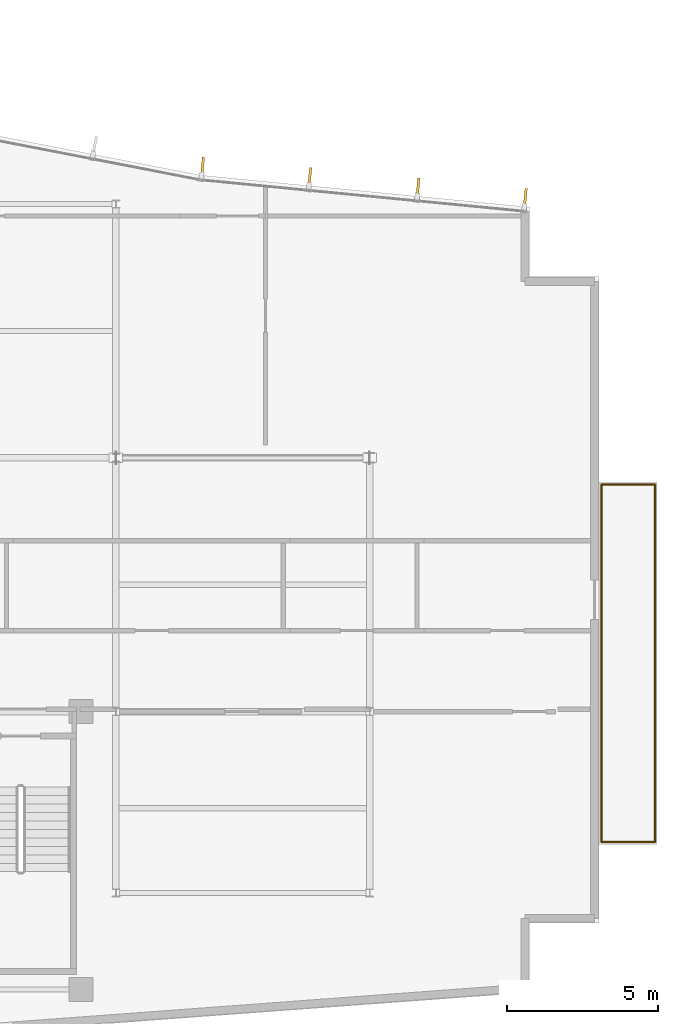
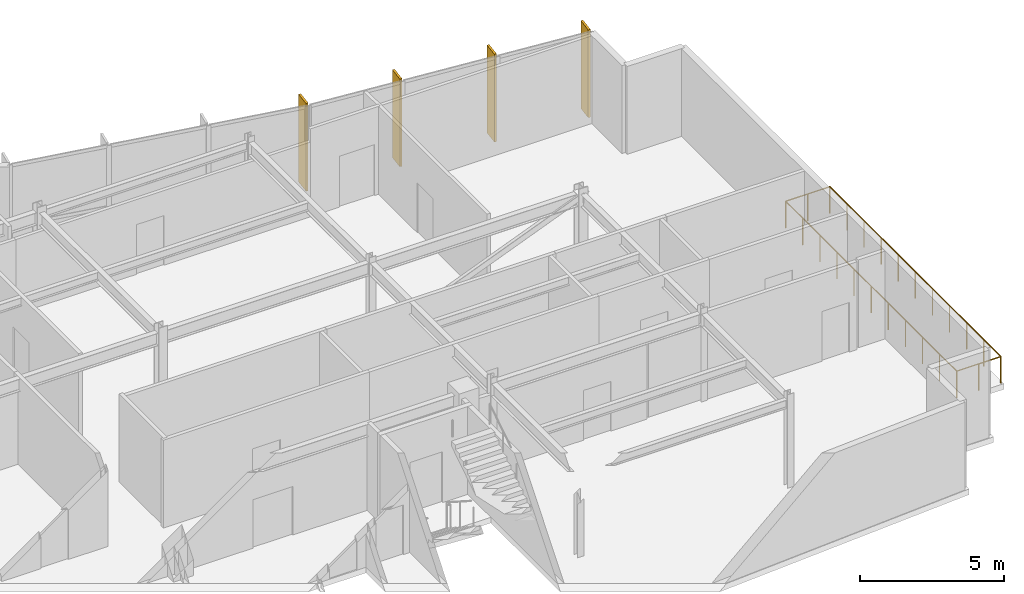
# One storey, part 15 of 16: 4 railings, 4 shading devices.
"""IFC4 building model written with IfcOpenShell, lengths in metres."""

from ifc_helpers import new_model, si_unit, direction, frame, origin, origin_2d, place, context, subcontext, project, spatial, rectangle, circle, extrude, material, layer, layer_set, type_object, element, save


model = new_model("IFC4")

# Units and contexts
model_context = context("Model", 3, precision=1e-05, world=origin(), true_north=direction((0.0, 1.0)))
body_context = subcontext(model_context, "Body", "Model", "MODEL_VIEW")
ifc_project = project(units=[si_unit("LENGTHUNIT", "METRE"), si_unit("AREAUNIT", "SQUARE_METRE"), si_unit("VOLUMEUNIT", "CUBIC_METRE"), si_unit("PLANEANGLEUNIT", "RADIAN"), si_unit("MASSUNIT", "GRAM", prefix="KILO")], contexts=[model_context])

# Site, building, storey
site_placement = place(None, origin())
site = spatial("IfcSite", under=ifc_project, at=site_placement, CompositionType="ELEMENT")
building_placement = place(site_placement, origin())
building = spatial("IfcBuilding", under=site, at=building_placement, Name="Varnakote Quay Hospital", CompositionType="ELEMENT")
storey_placement = place(building_placement, frame((0.0, 0.0, 272.35009765625)))
storey = spatial("IfcBuildingStorey", under=building, at=storey_placement, Name="L67", CompositionType="ELEMENT", Elevation=272.35009765625)

# Railings
ifc_material_1 = material(Name="Anodised aluminium 6063-T6 Bronze", Category="aluminium")
railing_type = type_object("IfcRailingType", Name="RLG-EXT-GUARD-1150", PredefinedType="GUARDRAIL", material=ifc_material_1)
railing_1_placement = place(storey_placement, frame((41.27587890625, 19.52001953125, 0.0)))
element("IfcRailing", 1, at=railing_1_placement, inside=storey, type_object=railing_type, Name="L67 Zigzag Prow Healing Terrace Safety Guard", PredefinedType="GUARDRAIL", context=body_context, shape_type="SweptSolid", body=[
    extrude(circle(Radius=0.02392578125, at=origin_2d()), frame((0.0, 0.0, 1.1259765625), z_axis=(1.0, 0.0, 0.0), x_axis=(0.0, 1.0, 0.0)), (0.0, 0.0, 1.0), 1.76416015625),
    extrude(circle(Radius=0.02099609375, at=origin_2d()), origin(), (0.0, 0.0, 1.0), 1.101806640625),
    extrude(circle(Radius=0.02099609375, at=origin_2d()), frame((0.882080078125, 0.0, 0.0)), (0.0, 0.0, 1.0), 1.101806640625),
    extrude(circle(Radius=0.02099609375, at=origin_2d()), frame((1.76416015625, 0.0, 0.0)), (0.0, 0.0, 1.0), 1.101806640625),
])
railing_2_placement = place(storey_placement, frame((43.0400390625, 19.52001953125, 0.0)))
element("IfcRailing", 2, at=railing_2_placement, inside=storey, type_object=railing_type, Name="L67 Zigzag Prow Healing Terrace Safety Guard", PredefinedType="GUARDRAIL", context=body_context, shape_type="SweptSolid", body=[
    extrude(circle(Radius=0.02392578125, at=origin_2d()), frame((0.0, 0.0, 1.1259765625), z_axis=(0.0, -1.0, 0.0), x_axis=(1.0, 0.0, 0.0)), (0.0, 0.0, 1.0), 11.840087890625),
    extrude(circle(Radius=0.02099609375, at=origin_2d()), origin(), (0.0, 0.0, 1.0), 1.101806640625),
    extrude(circle(Radius=0.02099609375, at=origin_2d()), frame((0.0, -1.18408203125, 0.0)), (0.0, 0.0, 1.0), 1.101806640625),
    extrude(circle(Radius=0.02099609375, at=origin_2d()), frame((0.0, -2.367919921875, 0.0)), (0.0, 0.0, 1.0), 1.101806640625),
    extrude(circle(Radius=0.02099609375, at=origin_2d()), frame((0.0, -3.552001953125, 0.0)), (0.0, 0.0, 1.0), 1.101806640625),
    extrude(circle(Radius=0.02099609375, at=origin_2d()), frame((0.0, -4.736083984375, 0.0)), (0.0, 0.0, 1.0), 1.101806640625),
    extrude(circle(Radius=0.02099609375, at=origin_2d()), frame((0.0, -5.919921875, 0.0)), (0.0, 0.0, 1.0), 1.101806640625),
    extrude(circle(Radius=0.02099609375, at=origin_2d()), frame((0.0, -7.10400390625, 0.0)), (0.0, 0.0, 1.0), 1.101806640625),
    extrude(circle(Radius=0.02099609375, at=origin_2d()), frame((0.0, -8.2880859375, 0.0)), (0.0, 0.0, 1.0), 1.101806640625),
    extrude(circle(Radius=0.02099609375, at=origin_2d()), frame((0.0, -9.47216796875, 0.0)), (0.0, 0.0, 1.0), 1.101806640625),
    extrude(circle(Radius=0.02099609375, at=origin_2d()), frame((0.0, -10.656005859375, 0.0)), (0.0, 0.0, 1.0), 1.101806640625),
    extrude(circle(Radius=0.02099609375, at=origin_2d()), frame((0.0, -11.840087890625, 0.0)), (0.0, 0.0, 1.0), 1.101806640625),
])
railing_3_placement = place(storey_placement, frame((43.0400390625, 7.679931640625, 0.0)))
element("IfcRailing", 3, at=railing_3_placement, inside=storey, type_object=railing_type, Name="L67 Zigzag Prow Healing Terrace Safety Guard", PredefinedType="GUARDRAIL", context=body_context, shape_type="SweptSolid", body=[
    extrude(circle(Radius=0.02392578125, at=origin_2d()), frame((0.0, 0.0, 1.1259765625), z_axis=(-1.0, 0.0, 0.0), x_axis=(0.0, -1.0, 0.0)), (0.0, 0.0, 1.0), 1.76416015625),
    extrude(circle(Radius=0.02099609375, at=origin_2d()), origin(), (0.0, 0.0, 1.0), 1.101806640625),
    extrude(circle(Radius=0.02099609375, at=origin_2d()), frame((-0.882080078125, 0.0, 0.0)), (0.0, 0.0, 1.0), 1.101806640625),
    extrude(circle(Radius=0.02099609375, at=origin_2d()), frame((-1.76416015625, 0.0, 0.0)), (0.0, 0.0, 1.0), 1.101806640625),
])
railing_4_placement = place(storey_placement, frame((41.27587890625, 7.679931640625, 0.0)))
element("IfcRailing", 4, at=railing_4_placement, inside=storey, type_object=railing_type, Name="L67 Zigzag Prow Healing Terrace Safety Guard", PredefinedType="GUARDRAIL", context=body_context, shape_type="SweptSolid", body=[
    extrude(circle(Radius=0.02392578125, at=origin_2d()), frame((0.0, 0.0, 1.1259765625), z_axis=(0.0, 1.0, 0.0), x_axis=(-1.0, 0.0, 0.0)), (0.0, 0.0, 1.0), 11.840087890625),
    extrude(circle(Radius=0.02099609375, at=origin_2d()), origin(), (0.0, 0.0, 1.0), 1.101806640625),
    extrude(circle(Radius=0.02099609375, at=origin_2d()), frame((0.0, 1.18408203125, 0.0)), (0.0, 0.0, 1.0), 1.101806640625),
    extrude(circle(Radius=0.02099609375, at=origin_2d()), frame((0.0, 2.367919921875, 0.0)), (0.0, 0.0, 1.0), 1.101806640625),
    extrude(circle(Radius=0.02099609375, at=origin_2d()), frame((0.0, 3.552001953125, 0.0)), (0.0, 0.0, 1.0), 1.101806640625),
    extrude(circle(Radius=0.02099609375, at=origin_2d()), frame((0.0, 4.736083984375, 0.0)), (0.0, 0.0, 1.0), 1.101806640625),
    extrude(circle(Radius=0.02099609375, at=origin_2d()), frame((0.0, 5.919921875, 0.0)), (0.0, 0.0, 1.0), 1.101806640625),
    extrude(circle(Radius=0.02099609375, at=origin_2d()), frame((0.0, 7.10400390625, 0.0)), (0.0, 0.0, 1.0), 1.101806640625),
    extrude(circle(Radius=0.02099609375, at=origin_2d()), frame((0.0, 8.2880859375, 0.0)), (0.0, 0.0, 1.0), 1.101806640625),
    extrude(circle(Radius=0.02099609375, at=origin_2d()), frame((0.0, 9.47216796875, 0.0)), (0.0, 0.0, 1.0), 1.101806640625),
    extrude(circle(Radius=0.02099609375, at=origin_2d()), frame((0.0, 10.656005859375, 0.0)), (0.0, 0.0, 1.0), 1.101806640625),
    extrude(circle(Radius=0.02099609375, at=origin_2d()), frame((0.0, 11.840087890625, 0.0)), (0.0, 0.0, 1.0), 1.101806640625),
])

# Shading devices
ifc_material_2 = material(Name="Anodised aluminium 6063-T6 Bronze", Category="aluminium")
ifc_layer = layer(ifc_material_2, 0.0849609375)
ifc_layer_set = layer_set([ifc_layer], Name="Anodised aluminium 6063-T6 Bronze")
shading_device_type = type_object("IfcShadingDeviceType", Name="SHD-BRONZE-FIN-620", PredefinedType="USERDEFINED", material=ifc_layer_set)
for number, where, z_axis, x_axis, name in (
    (5, (38.751220703125, 29.005859375, 0.0), (0.0, 0.0, 1.0), (-0.096540646748, -0.995329042842, 0.0), "L67 Anodised Bronze Vertical Shading FIN"),
    (6, (35.201171875, 29.350341796875, 0.0), (0.0, 0.0, 1.0), (-0.096540646748, -0.995329042842, 0.0), "L67 Anodised Bronze Vertical Shading FIN"),
    (7, (31.618896484375, 29.69775390625, 0.0), (0.0, 0.0, 1.0), (-0.096540646748, -0.995329042842, 0.0), "L67 Anodised Bronze Vertical Shading FIN"),
    (8, (28.06884765625, 30.042236328125, 0.0), (0.0, 0.0, 1.0), (-0.096540646748, -0.995329042842, 0.0), "L67 Anodised Bronze Vertical Shading FIN"),
):
    element("IfcShadingDevice", number, at=place(storey_placement, frame(where, z_axis=z_axis, x_axis=x_axis)), inside=storey, type_object=shading_device_type, Name=name, ObjectType="FIN", PredefinedType="USERDEFINED", context=body_context, shape_type="SweptSolid", body=[
        extrude(rectangle(XDim=0.6201171875, YDim=0.0849609375, at=origin_2d()), origin(), (0.0, 0.0, 1.0), 3.7099609375),
    ])

save(model, "model.ifc")
